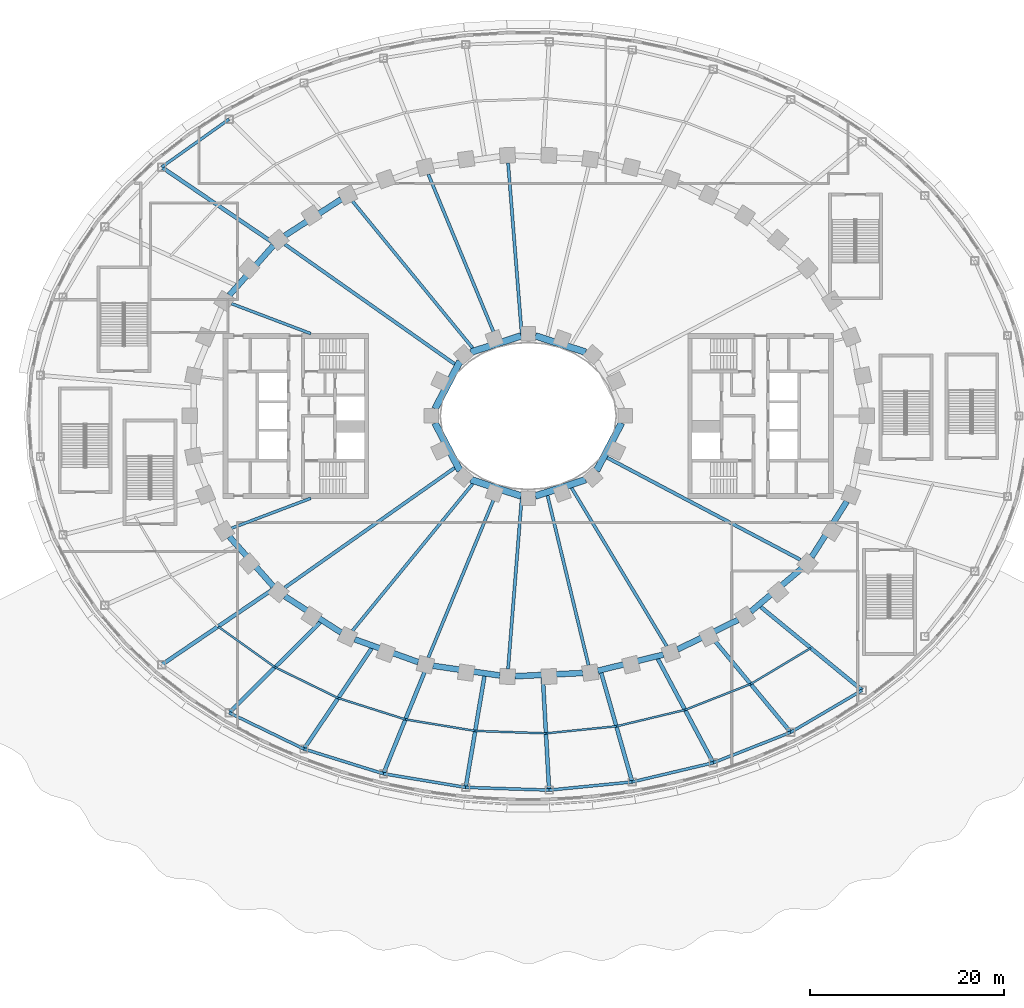
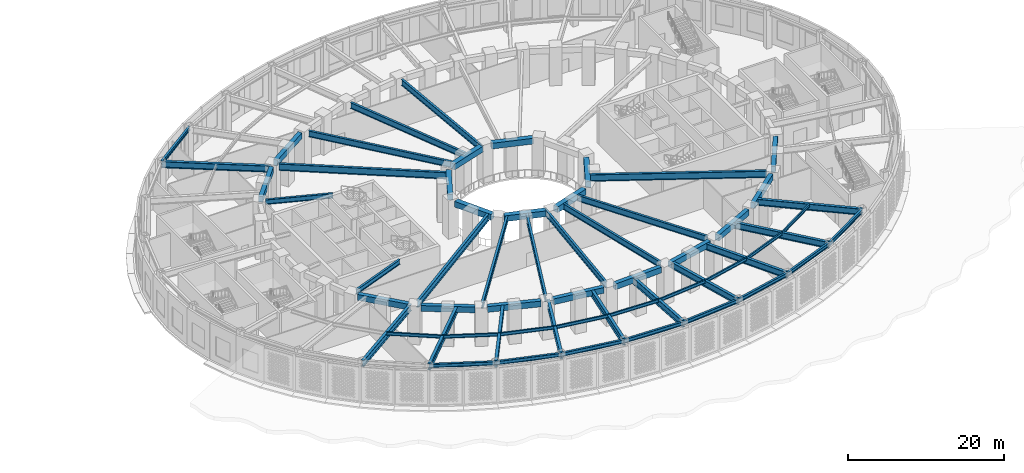
# One storey, part 12 of 74: 60 beams.
"""IFC4 building model written with IfcOpenShell, lengths in metres."""

from ifc_helpers import new_model, si_unit, direction, frame, origin, origin_2d, place, context, subcontext, project, spatial, rectangle, i_section, extrude, material, material_profile, profile_set, type_object, element, save


model = new_model("IFC4")

# Units and contexts
model_context = context("Model", 3, precision=1e-05, world=origin(), true_north=direction((0.0, 1.0)))
body_context = subcontext(model_context, "Body", "Model", "MODEL_VIEW")
ifc_project = project(units=[si_unit("LENGTHUNIT", "METRE"), si_unit("AREAUNIT", "SQUARE_METRE"), si_unit("VOLUMEUNIT", "CUBIC_METRE"), si_unit("PLANEANGLEUNIT", "RADIAN"), si_unit("MASSUNIT", "GRAM", prefix="KILO")], contexts=[model_context])

# Site, building, storey
site_placement = place(None, origin())
site = spatial("IfcSite", under=ifc_project, at=site_placement, CompositionType="ELEMENT")
building_placement = place(site_placement, origin())
building = spatial("IfcBuilding", under=site, at=building_placement, Name="Noorbagh Ring Tower", CompositionType="ELEMENT")
storey_placement = place(building_placement, frame((0.0, 0.0, 7.5)))
storey = spatial("IfcBuildingStorey", under=building, at=storey_placement, Name="L01", CompositionType="ELEMENT", Elevation=7.5)

# Beams
ifc_material_1 = material(Name="Steel S355", Category="steel")
ifc_material_profile_1 = material_profile(ifc_material_1, i_section(OverallWidth=0.300048828125, OverallDepth=0.60009765625, WebThickness=0.015380859375, FlangeThickness=0.030029296875, FilletRadius=0.027099609375, at=origin_2d()), Name="HEB600")
ifc_profile_set_1 = profile_set([ifc_material_profile_1], Name="Steel S355")
beam_type_1 = type_object("IfcBeamType", Name="GND-EDGE-BEAM-HEB600", PredefinedType="BEAM", material=ifc_profile_set_1)
beam_1_placement = place(storey_placement, frame((-30.869384765625, 30.629150390625, 5.449951171875), z_axis=(-0.815104059745, -0.579314570667, 0.0), x_axis=(0.579314570667, -0.815104059745, 0.0)))
element("IfcBeam", 1, at=beam_1_placement, inside=storey, type_object=beam_type_1, Name="L01/bm/ERP-13", PredefinedType="BEAM", context=body_context, shape_type="SweptSolid", body=[
    extrude(i_section(OverallWidth=0.300048828125, OverallDepth=0.60009765625, WebThickness=0.015380859375, FlangeThickness=0.030029296875, FilletRadius=0.027099609375, at=origin_2d()), origin(), (0.0, 0.0, 1.0), 8.543212890625),
])
beam_2_placement = place(storey_placement, frame((-30.869384765625, -30.629150390625, 5.449951171875), z_axis=(0.89994920641, -0.435994754421, 0.0), x_axis=(0.435994754421, 0.89994920641, 0.0)))
element("IfcBeam", 2, at=beam_2_placement, inside=storey, type_object=beam_type_1, Name="L01/bm/ERP-22", PredefinedType="BEAM", context=body_context, shape_type="SweptSolid", body=[
    extrude(i_section(OverallWidth=0.300048828125, OverallDepth=0.60009765625, WebThickness=0.015380859375, FlangeThickness=0.030029296875, FilletRadius=0.027099609375, at=origin_2d()), origin(), (0.0, 0.0, 1.0), 8.57470703125),
])
beam_3_placement = place(storey_placement, frame((-23.152587890625, -34.36767578125, 5.449951171875), z_axis=(0.954717204091, -0.297514806713, 0.0), x_axis=(0.297514806713, 0.954717204091, 0.0)))
element("IfcBeam", 3, at=beam_3_placement, inside=storey, type_object=beam_type_1, Name="L01/bm/ERP-23", PredefinedType="BEAM", context=body_context, shape_type="SweptSolid", body=[
    extrude(i_section(OverallWidth=0.300048828125, OverallDepth=0.60009765625, WebThickness=0.015380859375, FlangeThickness=0.030029296875, FilletRadius=0.027099609375, at=origin_2d()), origin(), (0.0, 0.0, 1.0), 8.595703125),
])
beam_4_placement = place(storey_placement, frame((-14.946044921875, -36.925048828125, 5.449951171875), z_axis=(0.986523163949, -0.163621658075, 0.0), x_axis=(0.163621658075, 0.986523163949, 0.0)))
element("IfcBeam", 4, at=beam_4_placement, inside=storey, type_object=beam_type_1, Name="L01/bm/ERP-24", PredefinedType="BEAM", context=body_context, shape_type="SweptSolid", body=[
    extrude(i_section(OverallWidth=0.300048828125, OverallDepth=0.60009765625, WebThickness=0.015380859375, FlangeThickness=0.030029296875, FilletRadius=0.027099609375, at=origin_2d()), origin(), (0.0, 0.0, 1.0), 8.60791015625),
])
beam_5_placement = place(storey_placement, frame((-6.4541015625, -38.33349609375, 5.449951171875), z_axis=(0.999468589483, -0.032596604688, 0.0), x_axis=(0.032596604688, 0.999468589483, 0.0)))
element("IfcBeam", 5, at=beam_5_placement, inside=storey, type_object=beam_type_1, Name="L01/bm/ERP-25", PredefinedType="BEAM", context=body_context, shape_type="SweptSolid", body=[
    extrude(i_section(OverallWidth=0.300048828125, OverallDepth=0.60009765625, WebThickness=0.015380859375, FlangeThickness=0.030029296875, FilletRadius=0.027099609375, at=origin_2d()), origin(), (0.0, 0.0, 1.0), 8.61328125),
])
beam_6_placement = place(storey_placement, frame((2.154541015625, -38.6142578125, 5.449951171875), z_axis=(0.9951967317, 0.097895174616, 0.0), x_axis=(-0.097895174616, 0.9951967317, 0.0)))
element("IfcBeam", 6, at=beam_6_placement, inside=storey, type_object=beam_type_1, Name="L01/bm/ERP-26", PredefinedType="BEAM", context=body_context, shape_type="SweptSolid", body=[
    extrude(i_section(OverallWidth=0.300048828125, OverallDepth=0.60009765625, WebThickness=0.015380859375, FlangeThickness=0.030029296875, FilletRadius=0.027099609375, at=origin_2d()), origin(), (0.0, 0.0, 1.0), 8.611328125),
])
beam_7_placement = place(storey_placement, frame((10.724609375, -37.771240234375, 5.449951171875), z_axis=(0.973167977411, 0.230095822957, 0.0), x_axis=(-0.230095822957, 0.973167977411, 0.0)))
element("IfcBeam", 7, at=beam_7_placement, inside=storey, type_object=beam_type_1, Name="L01/bm/ERP-27", PredefinedType="BEAM", context=body_context, shape_type="SweptSolid", body=[
    extrude(i_section(OverallWidth=0.300048828125, OverallDepth=0.60009765625, WebThickness=0.015380859375, FlangeThickness=0.030029296875, FilletRadius=0.027099609375, at=origin_2d()), origin(), (0.0, 0.0, 1.0), 8.602783203125),
])
beam_8_placement = place(storey_placement, frame((19.0966796875, -35.791748046875, 5.449951171875), z_axis=(0.930571668723, 0.366109777758, 0.0), x_axis=(-0.366109777758, 0.930571668723, 0.0)))
element("IfcBeam", 8, at=beam_8_placement, inside=storey, type_object=beam_type_1, Name="L01/bm/ERP-28", PredefinedType="BEAM", context=body_context, shape_type="SweptSolid", body=[
    extrude(i_section(OverallWidth=0.300048828125, OverallDepth=0.60009765625, WebThickness=0.015380859375, FlangeThickness=0.030029296875, FilletRadius=0.027099609375, at=origin_2d()), origin(), (0.0, 0.0, 1.0), 8.58642578125),
])
beam_9_placement = place(storey_placement, frame((27.0869140625, -32.648193359375, 5.449951171875), z_axis=(0.8618652907, 0.507137279922, 0.0), x_axis=(-0.507137279922, 0.8618652907, 0.0)))
element("IfcBeam", 9, at=beam_9_placement, inside=storey, type_object=beam_type_1, Name="L01/bm/ERP-29", PredefinedType="BEAM", context=body_context, shape_type="SweptSolid", body=[
    extrude(i_section(OverallWidth=0.300048828125, OverallDepth=0.60009765625, WebThickness=0.015380859375, FlangeThickness=0.030029296875, FilletRadius=0.027099609375, at=origin_2d()), origin(), (0.0, 0.0, 1.0), 8.560302734375),
])
ifc_material_2 = material(Name="Steel S355", Category="steel")
ifc_material_profile_2 = material_profile(ifc_material_2, i_section(OverallWidth=0.39990234375, OverallDepth=1.0, WebThickness=0.01611328125, FlangeThickness=0.0400390625, at=origin_2d()), Name="PG1000x400x16x40")
ifc_profile_set_2 = profile_set([ifc_material_profile_2], Name="Steel S355")
beam_type_2 = type_object("IfcBeamType", Name="GND-GIRDER-PG1000x400x16x40", PredefinedType="BEAM", material=ifc_profile_set_2)
for number, where, z_axis, x_axis, name in (
    (10, (-37.8330078125, 25.679931640625, 5.25), (0.82739656341, -0.561618132593, 0.0), (0.561618132593, 0.82739656341, 0.0), "L01/bm/GRP-14"),
    (11, (-37.8330078125, -25.679931640625, 5.25), (0.82739656341, 0.561618132593, 0.0), (-0.561618132593, 0.82739656341, 0.0), "L01/bm/GRP-21"),
):
    element("IfcBeam", number, at=place(storey_placement, frame(where, z_axis=z_axis, x_axis=x_axis)), inside=storey, type_object=beam_type_2, Name=name, PredefinedType="BEAM", context=body_context, shape_type="SweptSolid", body=[
        extrude(i_section(OverallWidth=0.39990234375, OverallDepth=1.0, WebThickness=0.01611328125, FlangeThickness=0.0400390625, at=origin_2d()), origin(), (0.0, 0.0, 1.0), 14.06640625),
    ])
beam_10_placement = place(storey_placement, frame((-30.869384765625, -30.629150390625, 5.25), z_axis=(0.70986613718, 0.704336615039, 0.0), x_axis=(-0.704336615039, 0.70986613718, 0.0)))
element("IfcBeam", 12, at=beam_10_placement, inside=storey, type_object=beam_type_2, Name="L01/bm/GRP-22", PredefinedType="BEAM", context=body_context, shape_type="SweptSolid", body=[
    extrude(i_section(OverallWidth=0.39990234375, OverallDepth=1.0, WebThickness=0.01611328125, FlangeThickness=0.0400390625, at=origin_2d()), origin(), (0.0, 0.0, 1.0), 13.333984375),
])
beam_11_placement = place(storey_placement, frame((-23.152587890625, -34.36767578125, 5.25), z_axis=(0.558711358029, 0.829362175656, 0.0), x_axis=(-0.829362175656, 0.558711358029, 0.0)))
element("IfcBeam", 13, at=beam_11_placement, inside=storey, type_object=beam_type_2, Name="L01/bm/GRP-23", PredefinedType="BEAM", context=body_context, shape_type="SweptSolid", body=[
    extrude(i_section(OverallWidth=0.39990234375, OverallDepth=1.0, WebThickness=0.01611328125, FlangeThickness=0.0400390625, at=origin_2d()), origin(), (0.0, 0.0, 1.0), 12.6630859375),
])
beam_12_placement = place(storey_placement, frame((-14.946044921875, -36.925048828125, 5.25), z_axis=(0.375201842514, 0.926943135998, 0.0), x_axis=(-0.926943135998, 0.375201842514, 0.0)))
element("IfcBeam", 14, at=beam_12_placement, inside=storey, type_object=beam_type_2, Name="L01/bm/GRP-24", PredefinedType="BEAM", context=body_context, shape_type="SweptSolid", body=[
    extrude(i_section(OverallWidth=0.39990234375, OverallDepth=1.0, WebThickness=0.01611328125, FlangeThickness=0.0400390625, at=origin_2d()), origin(), (0.0, 0.0, 1.0), 12.094970703125),
])
beam_13_placement = place(storey_placement, frame((-6.4541015625, -38.33349609375, 5.25), z_axis=(0.166032765637, 0.986120236449, 0.0), x_axis=(-0.986120236449, 0.166032765637, 0.0)))
element("IfcBeam", 15, at=beam_13_placement, inside=storey, type_object=beam_type_2, Name="L01/bm/GRP-25", PredefinedType="BEAM", context=body_context, shape_type="SweptSolid", body=[
    extrude(i_section(OverallWidth=0.39990234375, OverallDepth=1.0, WebThickness=0.01611328125, FlangeThickness=0.0400390625, at=origin_2d()), origin(), (0.0, 0.0, 1.0), 11.82373046875),
])
beam_14_placement = place(storey_placement, frame((2.154541015625, -38.6142578125, 5.25), z_axis=(-0.055716608816, 0.998446623261, 0.0), x_axis=(-0.998446623261, -0.055716608816, 0.0)))
element("IfcBeam", 16, at=beam_14_placement, inside=storey, type_object=beam_type_2, Name="L01/bm/GRP-26", PredefinedType="BEAM", context=body_context, shape_type="SweptSolid", body=[
    extrude(i_section(OverallWidth=0.39990234375, OverallDepth=1.0, WebThickness=0.01611328125, FlangeThickness=0.0400390625, at=origin_2d()), origin(), (0.0, 0.0, 1.0), 11.734619140625),
])
beam_15_placement = place(storey_placement, frame((10.724609375, -37.771240234375, 5.25), z_axis=(-0.273130016452, 0.961977127645, 0.0), x_axis=(-0.961977127645, -0.273130016452, 0.0)))
element("IfcBeam", 17, at=beam_15_placement, inside=storey, type_object=beam_type_2, Name="L01/bm/GRP-27", PredefinedType="BEAM", context=body_context, shape_type="SweptSolid", body=[
    extrude(i_section(OverallWidth=0.39990234375, OverallDepth=1.0, WebThickness=0.01611328125, FlangeThickness=0.0400390625, at=origin_2d()), origin(), (0.0, 0.0, 1.0), 11.939208984375),
])
beam_16_placement = place(storey_placement, frame((19.0966796875, -35.791748046875, 5.25), z_axis=(-0.470746944877, 0.88226827773, 0.0), x_axis=(-0.88226827773, -0.470746944877, 0.0)))
element("IfcBeam", 18, at=beam_16_placement, inside=storey, type_object=beam_type_2, Name="L01/bm/GRP-28", PredefinedType="BEAM", context=body_context, shape_type="SweptSolid", body=[
    extrude(i_section(OverallWidth=0.39990234375, OverallDepth=1.0, WebThickness=0.01611328125, FlangeThickness=0.0400390625, at=origin_2d()), origin(), (0.0, 0.0, 1.0), 12.375),
])
beam_17_placement = place(storey_placement, frame((27.0869140625, -32.648193359375, 5.25), z_axis=(-0.638516852805, 0.769607840841, 0.0), x_axis=(-0.769607840841, -0.638516852805, 0.0)))
element("IfcBeam", 19, at=beam_17_placement, inside=storey, type_object=beam_type_2, Name="L01/bm/GRP-29", PredefinedType="BEAM", context=body_context, shape_type="SweptSolid", body=[
    extrude(i_section(OverallWidth=0.39990234375, OverallDepth=1.0, WebThickness=0.01611328125, FlangeThickness=0.0400390625, at=origin_2d()), origin(), (0.0, 0.0, 1.0), 12.943603515625),
])
beam_18_placement = place(storey_placement, frame((34.46484375, -28.306884765625, 5.25), z_axis=(-0.772763025599, 0.63469465593, 0.0), x_axis=(-0.63469465593, -0.772763025599, 0.0)))
element("IfcBeam", 20, at=beam_18_placement, inside=storey, type_object=beam_type_2, Name="L01/bm/GRP-30", PredefinedType="BEAM", context=body_context, shape_type="SweptSolid", body=[
    extrude(i_section(OverallWidth=0.39990234375, OverallDepth=1.0, WebThickness=0.01611328125, FlangeThickness=0.0400390625, at=origin_2d()), origin(), (0.0, 0.0, 1.0), 13.723388671875),
])
ifc_material_3 = material(Name="Steel S355", Category="steel")
ifc_material_profile_3 = material_profile(ifc_material_3, i_section(OverallWidth=0.199951171875, OverallDepth=0.5, WebThickness=0.01025390625, FlangeThickness=0.01611328125, FilletRadius=0.02099609375, at=origin_2d()), Name="IPE500")
ifc_profile_set_3 = profile_set([ifc_material_profile_3], Name="Steel S355")
beam_type_3 = type_object("IfcBeamType", Name="GND-MID-BEAM-IPE500", PredefinedType="JOIST", material=ifc_profile_set_3)
beam_19_placement = place(storey_placement, frame((-32.013916015625, -21.72998046875, 5.5), z_axis=(0.813381743113, -0.581730298308, 0.0), x_axis=(0.581730298308, 0.813381743113, 0.0)))
element("IfcBeam", 21, at=beam_19_placement, inside=storey, type_object=beam_type_3, Name="L01/bm/MRP-21", PredefinedType="JOIST", context=body_context, shape_type="SweptSolid", body=[
    extrude(i_section(OverallWidth=0.199951171875, OverallDepth=0.5, WebThickness=0.01025390625, FlangeThickness=0.01611328125, FilletRadius=0.02099609375, at=origin_2d()), origin(), (0.0, 0.0, 1.0), 7.2255859375),
])
beam_20_placement = place(storey_placement, frame((-26.13671875, -25.933349609375, 5.5), z_axis=(0.898658812704, -0.438648308271, 0.0), x_axis=(0.438648308271, 0.898658812704, 0.0)))
element("IfcBeam", 22, at=beam_20_placement, inside=storey, type_object=beam_type_3, Name="L01/bm/MRP-22", PredefinedType="JOIST", context=body_context, shape_type="SweptSolid", body=[
    extrude(i_section(OverallWidth=0.199951171875, OverallDepth=0.5, WebThickness=0.01025390625, FlangeThickness=0.01611328125, FilletRadius=0.02099609375, at=origin_2d()), origin(), (0.0, 0.0, 1.0), 7.257080078125),
])
beam_21_placement = place(storey_placement, frame((-19.614990234375, -29.11669921875, 5.5), z_axis=(0.9531202752, -0.302591706765, 0.0), x_axis=(0.302591706765, 0.9531202752, 0.0)))
element("IfcBeam", 23, at=beam_21_placement, inside=storey, type_object=beam_type_3, Name="L01/bm/MRP-23", PredefinedType="JOIST", context=body_context, shape_type="SweptSolid", body=[
    extrude(i_section(OverallWidth=0.199951171875, OverallDepth=0.5, WebThickness=0.01025390625, FlangeThickness=0.01611328125, FilletRadius=0.02099609375, at=origin_2d()), origin(), (0.0, 0.0, 1.0), 7.279296875),
])
beam_22_placement = place(storey_placement, frame((-12.677001953125, -31.3193359375, 5.5), z_axis=(0.986756598534, -0.162207938309, 0.0), x_axis=(0.162207938309, 0.986756598534, 0.0)))
element("IfcBeam", 24, at=beam_22_placement, inside=storey, type_object=beam_type_3, Name="L01/bm/MRP-24", PredefinedType="JOIST", context=body_context, shape_type="SweptSolid", body=[
    extrude(i_section(OverallWidth=0.199951171875, OverallDepth=0.5, WebThickness=0.01025390625, FlangeThickness=0.01611328125, FilletRadius=0.02099609375, at=origin_2d()), origin(), (0.0, 0.0, 1.0), 7.30126953125),
])
beam_23_placement = place(storey_placement, frame((-5.472412109375, -32.503662109375, 5.5), z_axis=(0.999402620435, -0.034560125398, 0.0), x_axis=(0.034560125398, 0.999402620435, 0.0)))
element("IfcBeam", 25, at=beam_23_placement, inside=storey, type_object=beam_type_3, Name="L01/bm/MRP-25", PredefinedType="JOIST", context=body_context, shape_type="SweptSolid", body=[
    extrude(i_section(OverallWidth=0.199951171875, OverallDepth=0.5, WebThickness=0.01025390625, FlangeThickness=0.01611328125, FilletRadius=0.02099609375, at=origin_2d()), origin(), (0.0, 0.0, 1.0), 7.304443359375),
])
beam_24_placement = place(storey_placement, frame((1.82763671875, -32.756103515625, 5.5), z_axis=(0.99502493545, 0.099626190493, 0.0), x_axis=(-0.099626190493, 0.99502493545, 0.0)))
element("IfcBeam", 26, at=beam_24_placement, inside=storey, type_object=beam_type_3, Name="L01/bm/MRP-26", PredefinedType="JOIST", context=body_context, shape_type="SweptSolid", body=[
    extrude(i_section(OverallWidth=0.199951171875, OverallDepth=0.5, WebThickness=0.01025390625, FlangeThickness=0.01611328125, FilletRadius=0.02099609375, at=origin_2d()), origin(), (0.0, 0.0, 1.0), 7.302734375),
])
beam_25_placement = place(storey_placement, frame((9.093994140625, -32.028564453125, 5.5), z_axis=(0.972568186564, 0.23261797541, 0.0), x_axis=(-0.23261797541, 0.972568186564, 0.0)))
element("IfcBeam", 27, at=beam_25_placement, inside=storey, type_object=beam_type_3, Name="L01/bm/MRP-27", PredefinedType="JOIST", context=body_context, shape_type="SweptSolid", body=[
    extrude(i_section(OverallWidth=0.199951171875, OverallDepth=0.5, WebThickness=0.01025390625, FlangeThickness=0.01611328125, FilletRadius=0.02099609375, at=origin_2d()), origin(), (0.0, 0.0, 1.0), 7.2900390625),
])
beam_26_placement = place(storey_placement, frame((16.18408203125, -30.332763671875, 5.5), z_axis=(0.930496782909, 0.36630006415, 0.0), x_axis=(-0.36630006415, 0.930496782909, 0.0)))
element("IfcBeam", 28, at=beam_26_placement, inside=storey, type_object=beam_type_3, Name="L01/bm/MRP-28", PredefinedType="JOIST", context=body_context, shape_type="SweptSolid", body=[
    extrude(i_section(OverallWidth=0.199951171875, OverallDepth=0.5, WebThickness=0.01025390625, FlangeThickness=0.01611328125, FilletRadius=0.02099609375, at=origin_2d()), origin(), (0.0, 0.0, 1.0), 7.276123046875),
])
beam_27_placement = place(storey_placement, frame((22.95458984375, -27.66748046875, 5.5), z_axis=(0.858046251749, 0.513572419293, 0.0), x_axis=(-0.513572419293, 0.858046251749, 0.0)))
element("IfcBeam", 29, at=beam_27_placement, inside=storey, type_object=beam_type_3, Name="L01/bm/MRP-29", PredefinedType="JOIST", context=body_context, shape_type="SweptSolid", body=[
    extrude(i_section(OverallWidth=0.199951171875, OverallDepth=0.5, WebThickness=0.01025390625, FlangeThickness=0.01611328125, FilletRadius=0.02099609375, at=origin_2d()), origin(), (0.0, 0.0, 1.0), 7.23486328125),
])
ifc_material_4 = material(Name="Steel S355", Category="steel")
ifc_material_profile_4 = material_profile(ifc_material_4, i_section(OverallWidth=0.35009765625, OverallDepth=1.050048828125, WebThickness=0.01806640625, FlangeThickness=0.033935546875, at=origin_2d()), Name="PG1050x350x18x34")
ifc_profile_set_4 = profile_set([ifc_material_profile_4], Name="Steel S355")
beam_type_4 = type_object("IfcBeamType", Name="STR-RAD-PG1050x350x18x34", PredefinedType="BEAM", material=ifc_profile_set_4)
for number, where, z_axis, x_axis, name in (
    (30, (-25.12353515625, 17.715576171875, 5.22509765625), (0.817253259362, -0.576278673961, 0.0), (0.576278673961, 0.817253259362, 0.0), "L01/bm/RD19"),
    (31, (-25.12353515625, -17.715576171875, 5.22509765625), (0.817253259362, 0.576278673961, 0.0), (-0.576278673961, 0.817253259362, 0.0), "L01/bm/RD29"),
):
    element("IfcBeam", number, at=place(storey_placement, frame(where, z_axis=z_axis, x_axis=x_axis)), inside=storey, type_object=beam_type_4, Name=name, PredefinedType="BEAM", context=body_context, shape_type="SweptSolid", body=[
        extrude(i_section(OverallWidth=0.35009765625, OverallDepth=1.050048828125, WebThickness=0.01806640625, FlangeThickness=0.033935546875, at=origin_2d()), origin(), (0.0, 0.0, 1.0), 21.471435546875),
    ])
beam_28_placement = place(storey_placement, frame((28.108642578125, -14.855224609375, 5.22509765625), z_axis=(-0.884121906441, 0.467256304988, 0.0), x_axis=(-0.467256304988, -0.884121906441, 0.0)))
element("IfcBeam", 32, at=beam_28_placement, inside=storey, type_object=beam_type_4, Name="L01/bm/RD43", PredefinedType="BEAM", context=body_context, shape_type="SweptSolid", body=[
    extrude(i_section(OverallWidth=0.35009765625, OverallDepth=1.050048828125, WebThickness=0.01806640625, FlangeThickness=0.033935546875, at=origin_2d()), origin(), (0.0, 0.0, 1.0), 22.601806640625),
])
ifc_material_5 = material(Name="Steel S355", Category="steel")
ifc_material_profile_5 = material_profile(ifc_material_5, i_section(OverallWidth=0.300048828125, OverallDepth=0.75, WebThickness=0.013916015625, FlangeThickness=0.02587890625, at=origin_2d()), Name="PG750x300x14x26")
ifc_profile_set_5 = profile_set([ifc_material_profile_5], Name="Steel S355")
beam_type_5 = type_object("IfcBeamType", Name="STR-RAD-PG750x300x14x26", PredefinedType="BEAM", material=ifc_profile_set_5)
for number, where, z_axis, x_axis, name in (
    (33, (-30.619873046875, 11.5888671875, 5.375), (0.935258038122, -0.353966668102, 0.0), (0.353966668102, 0.935258038122, 0.0), "L01/bm/RD21"),
    (34, (-30.619873046875, -11.5888671875, 5.375), (0.935258038122, 0.353966668102, 0.0), (-0.353966668102, 0.935258038122, 0.0), "L01/bm/RD27"),
):
    element("IfcBeam", number, at=place(storey_placement, frame(where, z_axis=z_axis, x_axis=x_axis)), inside=storey, type_object=beam_type_5, Name=name, PredefinedType="BEAM", context=body_context, shape_type="SweptSolid", body=[
        extrude(i_section(OverallWidth=0.300048828125, OverallDepth=0.75, WebThickness=0.013916015625, FlangeThickness=0.02587890625, at=origin_2d()), origin(), (0.0, 0.0, 1.0), 8.746337890625),
    ])
ifc_material_6 = material(Name="Steel S355", Category="steel")
ifc_material_profile_6 = material_profile(ifc_material_6, i_section(OverallWidth=0.320068359375, OverallDepth=0.949951171875, WebThickness=0.01611328125, FlangeThickness=0.030029296875, at=origin_2d()), Name="PG950x320x16x30")
ifc_profile_set_6 = profile_set([ifc_material_profile_6], Name="Steel S355")
beam_type_6 = type_object("IfcBeamType", Name="STR-RAD-PG950x320x16x30", PredefinedType="BEAM", material=ifc_profile_set_6)
beam_29_placement = place(storey_placement, frame((-2.081298828125, 26.1201171875, 5.27490234375), z_axis=(0.079425808882, -0.996840780107, 0.0), x_axis=(0.996840780107, 0.079425808882, 0.0)))
element("IfcBeam", 35, at=beam_29_placement, inside=storey, type_object=beam_type_6, Name="L01/bm/RD13", PredefinedType="BEAM", context=body_context, shape_type="SweptSolid", body=[
    extrude(i_section(OverallWidth=0.320068359375, OverallDepth=0.949951171875, WebThickness=0.01611328125, FlangeThickness=0.030029296875, at=origin_2d()), origin(), (0.0, 0.0, 1.0), 18.227783203125),
])
beam_30_placement = place(storey_placement, frame((-10.311767578125, 24.9443359375, 5.27490234375), z_axis=(0.382034392842, -0.924148106467, 0.0), x_axis=(0.924148106467, 0.382034392842, 0.0)))
element("IfcBeam", 36, at=beam_30_placement, inside=storey, type_object=beam_type_6, Name="L01/bm/RD15", PredefinedType="BEAM", context=body_context, shape_type="SweptSolid", body=[
    extrude(i_section(OverallWidth=0.320068359375, OverallDepth=0.949951171875, WebThickness=0.01611328125, FlangeThickness=0.030029296875, at=origin_2d()), origin(), (0.0, 0.0, 1.0), 18.548583984375),
])
for number, where, z_axis, x_axis, name in (
    (37, (-18.138427734375, 22.164794921875, 5.27490234375), (0.633308995725, -0.773899034715, 0.0), (0.773899034715, 0.633308995725, 0.0), "L01/bm/RD17"),
    (38, (-18.138427734375, -22.164794921875, 5.27490234375), (0.633308995725, 0.773899034715, 0.0), (-0.773899034715, 0.633308995725, 0.0), "L01/bm/RD31"),
):
    element("IfcBeam", number, at=place(storey_placement, frame(where, z_axis=z_axis, x_axis=x_axis)), inside=storey, type_object=beam_type_6, Name=name, PredefinedType="BEAM", context=body_context, shape_type="SweptSolid", body=[
        extrude(i_section(OverallWidth=0.320068359375, OverallDepth=0.949951171875, WebThickness=0.01611328125, FlangeThickness=0.030029296875, at=origin_2d()), origin(), (0.0, 0.0, 1.0), 19.603759765625),
    ])
beam_31_placement = place(storey_placement, frame((-10.311767578125, -24.9443359375, 5.27490234375), z_axis=(0.382034392842, 0.924148106467, 0.0), x_axis=(-0.924148106467, 0.382034392842, 0.0)))
element("IfcBeam", 39, at=beam_31_placement, inside=storey, type_object=beam_type_6, Name="L01/bm/RD33", PredefinedType="BEAM", context=body_context, shape_type="SweptSolid", body=[
    extrude(i_section(OverallWidth=0.320068359375, OverallDepth=0.949951171875, WebThickness=0.01611328125, FlangeThickness=0.030029296875, at=origin_2d()), origin(), (0.0, 0.0, 1.0), 18.548583984375),
])
beam_32_placement = place(storey_placement, frame((-2.081298828125, -26.1201171875, 5.27490234375), z_axis=(0.079425808882, 0.996840780107, 0.0), x_axis=(-0.996840780107, 0.079425808882, 0.0)))
element("IfcBeam", 40, at=beam_32_placement, inside=storey, type_object=beam_type_6, Name="L01/bm/RD35", PredefinedType="BEAM", context=body_context, shape_type="SweptSolid", body=[
    extrude(i_section(OverallWidth=0.320068359375, OverallDepth=0.949951171875, WebThickness=0.01611328125, FlangeThickness=0.030029296875, at=origin_2d()), origin(), (0.0, 0.0, 1.0), 18.227783203125),
])
beam_33_placement = place(storey_placement, frame((6.22509765625, -25.729248046875, 5.27490234375), z_axis=(-0.235155855534, 0.971957675832, 0.0), x_axis=(-0.971957675832, -0.235155855534, 0.0)))
element("IfcBeam", 41, at=beam_33_placement, inside=storey, type_object=beam_type_6, Name="L01/bm/RD37", PredefinedType="BEAM", context=body_context, shape_type="SweptSolid", body=[
    extrude(i_section(OverallWidth=0.320068359375, OverallDepth=0.949951171875, WebThickness=0.01611328125, FlangeThickness=0.030029296875, at=origin_2d()), origin(), (0.0, 0.0, 1.0), 18.029541015625),
])
beam_34_placement = place(storey_placement, frame((14.29931640625, -23.759033203125, 5.27490234375), z_axis=(-0.515655762899, 0.856795853275, 0.0), x_axis=(-0.856795853275, -0.515655762899, 0.0)))
element("IfcBeam", 42, at=beam_34_placement, inside=storey, type_object=beam_type_6, Name="L01/bm/RD39", PredefinedType="BEAM", context=body_context, shape_type="SweptSolid", body=[
    extrude(i_section(OverallWidth=0.320068359375, OverallDepth=0.949951171875, WebThickness=0.01611328125, FlangeThickness=0.030029296875, at=origin_2d()), origin(), (0.0, 0.0, 1.0), 19.0888671875),
])
ifc_material_7 = material(Name="Concrete C40/50", Category="concrete")
ifc_material_profile_7 = material_profile(ifc_material_7, rectangle(XDim=0.699951171875, YDim=0.89990234375, at=origin_2d()), Name="RC700x900")
ifc_profile_set_7 = profile_set([ifc_material_profile_7], Name="Concrete C40/50")
beam_type_7 = type_object("IfcBeamType", Name="STR-RB-RC700x900-C40-50", PredefinedType="BEAM", material=ifc_profile_set_7)
for number, where, z_axis, x_axis, name in (
    (43, (5.92431640625, 6.579833984375, 5.300048828125), (-0.951144414124, 0.308746341648, 0.0), (-0.308746341648, -0.951144414124, 0.0), "L01/bm/RG03"),
    (44, (-0.73095703125, 8.265625, 5.300048828125), (-0.951144414124, -0.308746341648, 0.0), (0.308746341648, -0.951144414124, 0.0), "L01/bm/RG05"),
):
    element("IfcBeam", number, at=place(storey_placement, frame(where, z_axis=z_axis, x_axis=x_axis)), inside=storey, type_object=beam_type_7, Name=name, PredefinedType="BEAM", context=body_context, shape_type="SweptSolid", body=[
        extrude(rectangle(XDim=0.699951171875, YDim=0.89990234375, at=origin_2d()), origin(), (0.0, 0.0, 1.0), 5.460205078125),
    ])
for number, where, z_axis, x_axis, name in (
    (45, (-7.04638671875, 5.640380859375, 5.300048828125), (-0.464916752751, -0.885354399668, 0.0), (0.885354399668, -0.464916752751, 0.0), "L01/bm/RG07"),
    (46, (-9.623779296875, -0.732177734375, 5.300048828125), (0.464916752751, -0.885354399668, 0.0), (0.885354399668, 0.464916752751, 0.0), "L01/bm/RG09"),
):
    element("IfcBeam", number, at=place(storey_placement, frame(where, z_axis=z_axis, x_axis=x_axis)), inside=storey, type_object=beam_type_7, Name=name, PredefinedType="BEAM", context=body_context, shape_type="SweptSolid", body=[
        extrude(rectangle(XDim=0.699951171875, YDim=0.89990234375, at=origin_2d()), origin(), (0.0, 0.0, 1.0), 5.543701171875),
    ])
for number, where, z_axis, x_axis, name in (
    (47, (-5.92431640625, -6.579833984375, 5.300048828125), (0.951144414124, -0.308746341648, 0.0), (0.308746341648, 0.951144414124, 0.0), "L01/bm/RG11"),
    (48, (0.73095703125, -8.265625, 5.300048828125), (0.951144414124, 0.308746341648, 0.0), (-0.308746341648, 0.951144414124, 0.0), "L01/bm/RG13"),
):
    element("IfcBeam", number, at=place(storey_placement, frame(where, z_axis=z_axis, x_axis=x_axis)), inside=storey, type_object=beam_type_7, Name=name, PredefinedType="BEAM", context=body_context, shape_type="SweptSolid", body=[
        extrude(rectangle(XDim=0.699951171875, YDim=0.89990234375, at=origin_2d()), origin(), (0.0, 0.0, 1.0), 5.460205078125),
    ])
beam_35_placement = place(storey_placement, frame((7.04638671875, -5.640380859375, 5.300048828125), z_axis=(0.464916752751, 0.885354399668, 0.0), x_axis=(-0.885354399668, 0.464916752751, 0.0)))
element("IfcBeam", 49, at=beam_35_placement, inside=storey, type_object=beam_type_7, Name="L01/bm/RG15", PredefinedType="BEAM", context=body_context, shape_type="SweptSolid", body=[
    extrude(rectangle(XDim=0.699951171875, YDim=0.89990234375, at=origin_2d()), origin(), (0.0, 0.0, 1.0), 5.543701171875),
])
ifc_material_8 = material(Name="Concrete C40/50", Category="concrete")
ifc_material_profile_8 = material_profile(ifc_material_8, rectangle(XDim=0.60009765625, YDim=0.89990234375, at=origin_2d()), Name="RC600x900")
ifc_profile_set_8 = profile_set([ifc_material_profile_8], Name="Concrete C40/50")
beam_type_8 = type_object("IfcBeamType", Name="STR-SB-RC600x900-C40-50", PredefinedType="BEAM", material=ifc_profile_set_8)
beam_36_placement = place(storey_placement, frame((-19.306396484375, 22.359375, 5.300048828125), z_axis=(-0.840249989986, -0.542199183261, 0.0), x_axis=(0.542199183261, -0.840249989986, 0.0)))
element("IfcBeam", 50, at=beam_36_placement, inside=storey, type_object=beam_type_8, Name="L01/bm/SP17", PredefinedType="BEAM", context=body_context, shape_type="SweptSolid", body=[
    extrude(rectangle(XDim=0.60009765625, YDim=0.89990234375, at=origin_2d()), origin(), (0.0, 0.0, 1.0), 6.9208984375),
])
for number, where, z_axis, x_axis, name in (
    (51, (-26.30517578125, 17.58984375, 5.300048828125), (-0.662635440904, -0.748942102206, 0.0), (0.748942102206, -0.662635440904, 0.0), "L01/bm/SP19"),
    (52, (-30.84130859375, -12.462890625, 5.300048828125), (0.662635440904, -0.748942102206, 0.0), (0.748942102206, 0.662635440904, 0.0), "L01/bm/SP27"),
):
    element("IfcBeam", number, at=place(storey_placement, frame(where, z_axis=z_axis, x_axis=x_axis)), inside=storey, type_object=beam_type_8, Name=name, PredefinedType="BEAM", context=body_context, shape_type="SweptSolid", body=[
        extrude(rectangle(XDim=0.60009765625, YDim=0.89990234375, at=origin_2d()), origin(), (0.0, 0.0, 1.0), 6.845703125),
    ])
beam_37_placement = place(storey_placement, frame((-25.12158203125, -18.60693359375, 5.300048828125), z_axis=(0.840249989986, -0.542199183261, 0.0), x_axis=(0.542199183261, 0.840249989986, 0.0)))
element("IfcBeam", 53, at=beam_37_placement, inside=storey, type_object=beam_type_8, Name="L01/bm/SP29", PredefinedType="BEAM", context=body_context, shape_type="SweptSolid", body=[
    extrude(rectangle(XDim=0.60009765625, YDim=0.89990234375, at=origin_2d()), origin(), (0.0, 0.0, 1.0), 6.9208984375),
])
beam_38_placement = place(storey_placement, frame((-17.90771484375, -23.051025390625, 5.300048828125), z_axis=(0.941030272182, -0.338322371175, 0.0), x_axis=(0.338322371175, 0.941030272182, 0.0)))
element("IfcBeam", 54, at=beam_38_placement, inside=storey, type_object=beam_type_8, Name="L01/bm/SP31", PredefinedType="BEAM", context=body_context, shape_type="SweptSolid", body=[
    extrude(rectangle(XDim=0.60009765625, YDim=0.89990234375, at=origin_2d()), origin(), (0.0, 0.0, 1.0), 6.96728515625),
])
beam_39_placement = place(storey_placement, frame((-9.83740234375, -25.785888671875, 5.300048828125), z_axis=(0.989714845194, -0.143054273623, 0.0), x_axis=(0.143054273623, 0.989714845194, 0.0)))
element("IfcBeam", 55, at=beam_39_placement, inside=storey, type_object=beam_type_8, Name="L01/bm/SP33", PredefinedType="BEAM", context=body_context, shape_type="SweptSolid", body=[
    extrude(rectangle(XDim=0.60009765625, YDim=0.89990234375, at=origin_2d()), origin(), (0.0, 0.0, 1.0), 6.990234375),
])
beam_40_placement = place(storey_placement, frame((-1.3603515625, -26.86083984375, 5.300048828125), z_axis=(0.998867742854, 0.047573440964, 0.0), x_axis=(-0.047573440964, 0.998867742854, 0.0)))
element("IfcBeam", 56, at=beam_40_placement, inside=storey, type_object=beam_type_8, Name="L01/bm/SP35", PredefinedType="BEAM", context=body_context, shape_type="SweptSolid", body=[
    extrude(rectangle(XDim=0.60009765625, YDim=0.89990234375, at=origin_2d()), origin(), (0.0, 0.0, 1.0), 6.99462890625),
])
beam_41_placement = place(storey_placement, frame((7.170166015625, -26.302978515625, 5.300048828125), z_axis=(0.970827667704, 0.239778313491, 0.0), x_axis=(-0.239778313491, 0.970827667704, 0.0)))
element("IfcBeam", 57, at=beam_41_placement, inside=storey, type_object=beam_type_8, Name="L01/bm/SP37", PredefinedType="BEAM", context=body_context, shape_type="SweptSolid", body=[
    extrude(rectangle(XDim=0.60009765625, YDim=0.89990234375, at=origin_2d()), origin(), (0.0, 0.0, 1.0), 6.981689453125),
])
beam_42_placement = place(storey_placement, frame((15.41455078125, -24.09619140625, 5.300048828125), z_axis=(0.898397301801, 0.439183661031, 0.0), x_axis=(-0.439183661031, 0.898397301801, 0.0)))
element("IfcBeam", 58, at=beam_42_placement, inside=storey, type_object=beam_type_8, Name="L01/bm/SP39", PredefinedType="BEAM", context=body_context, shape_type="SweptSolid", body=[
    extrude(rectangle(XDim=0.60009765625, YDim=0.89990234375, at=origin_2d()), origin(), (0.0, 0.0, 1.0), 6.947509765625),
])
beam_43_placement = place(storey_placement, frame((22.96240234375, -20.19140625, 5.300048828125), z_axis=(0.763029833708, 0.646363266957, 0.0), x_axis=(-0.646363266957, 0.763029833708, 0.0)))
element("IfcBeam", 59, at=beam_43_placement, inside=storey, type_object=beam_type_8, Name="L01/bm/SP41", PredefinedType="BEAM", context=body_context, shape_type="SweptSolid", body=[
    extrude(rectangle(XDim=0.60009765625, YDim=0.89990234375, at=origin_2d()), origin(), (0.0, 0.0, 1.0), 6.886962890625),
])
beam_44_placement = place(storey_placement, frame((29.24169921875, -14.56298828125, 5.300048828125), z_axis=(0.535204111644, 0.844722770428, 0.0), x_axis=(-0.844722770428, 0.535204111644, 0.0)))
element("IfcBeam", 60, at=beam_44_placement, inside=storey, type_object=beam_type_8, Name="L01/bm/SP43", PredefinedType="BEAM", context=body_context, shape_type="SweptSolid", body=[
    extrude(rectangle(XDim=0.60009765625, YDim=0.89990234375, at=origin_2d()), origin(), (0.0, 0.0, 1.0), 6.800048828125),
])

save(model, "model.ifc")
